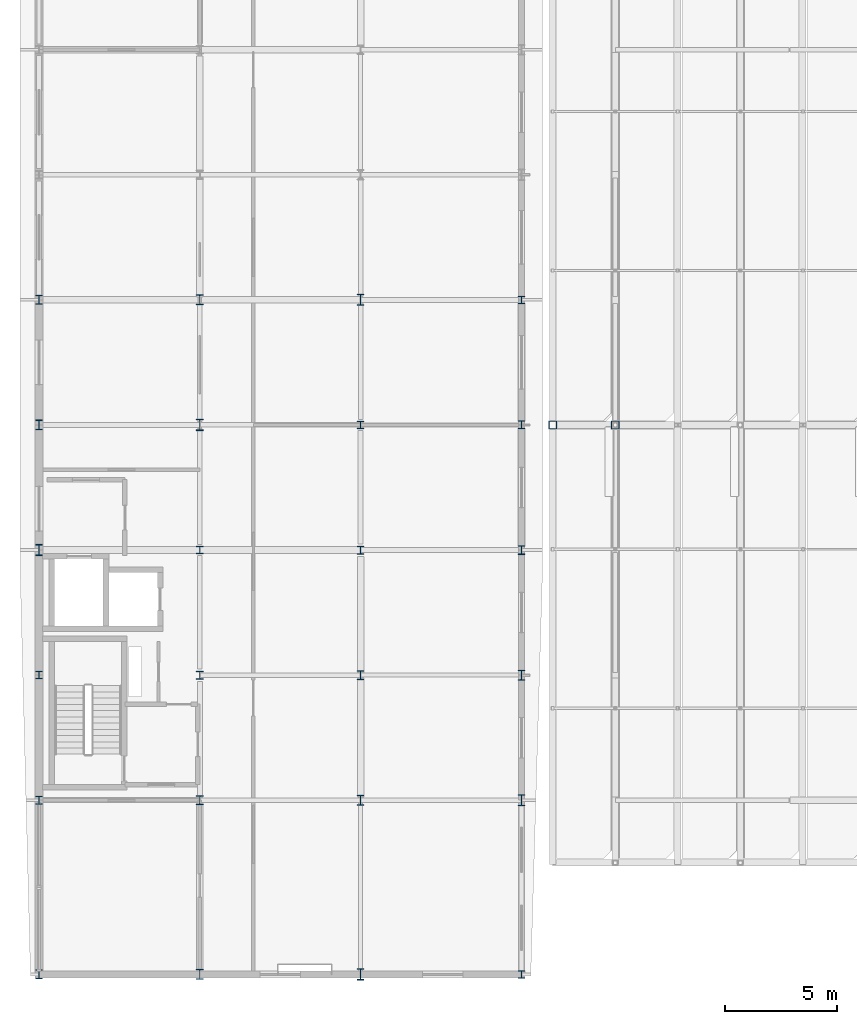
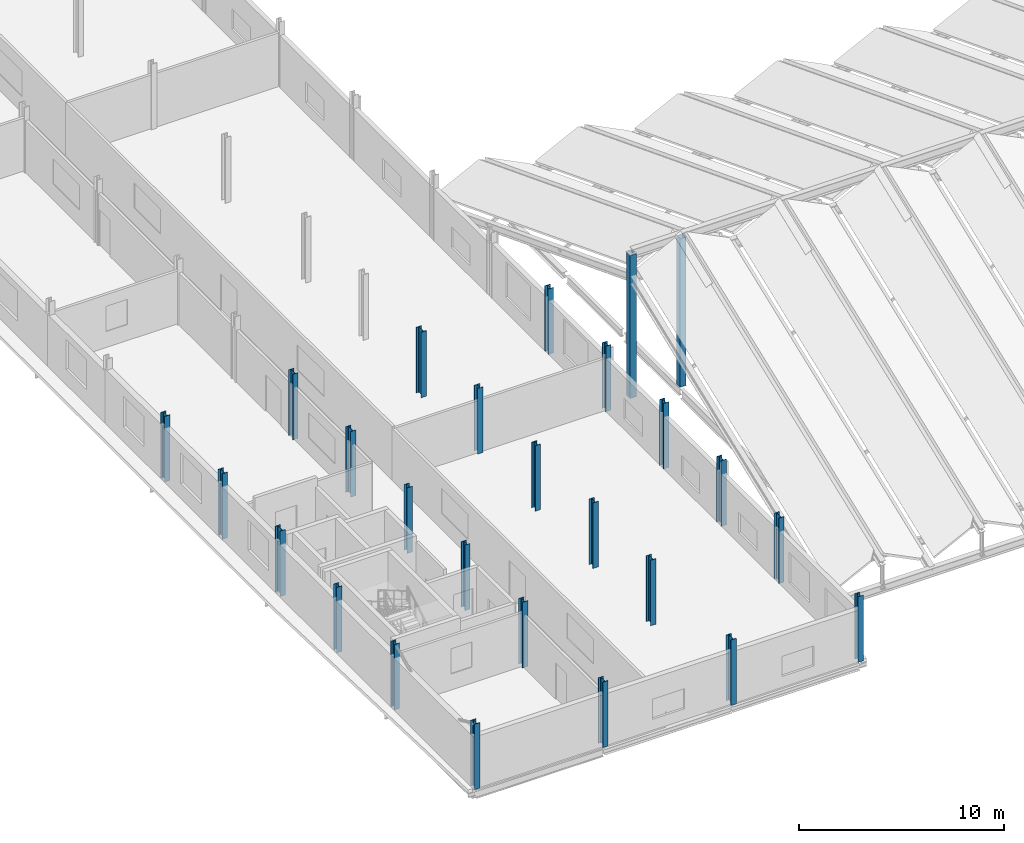
# One storey, part 1 of 49: 26 columns.
"""IFC4 building model written with IfcOpenShell, lengths in metres."""

from ifc_helpers import new_model, si_unit, direction, frame, origin, origin_2d, place, context, subcontext, project, spatial, hollow_rectangle, i_section, extrude, material, material_profile, profile_set, type_object, element, save


model = new_model("IFC4")

# Units and contexts
model_context = context("Model", 3, precision=1e-05, world=origin(), true_north=direction((0.0, 1.0)))
body_context = subcontext(model_context, "Body", "Model", "MODEL_VIEW")
ifc_project = project(units=[si_unit("LENGTHUNIT", "METRE"), si_unit("AREAUNIT", "SQUARE_METRE"), si_unit("VOLUMEUNIT", "CUBIC_METRE"), si_unit("PLANEANGLEUNIT", "RADIAN"), si_unit("MASSUNIT", "GRAM", prefix="KILO")], contexts=[model_context])

# Site, building, storey
site_placement = place(None, origin())
site = spatial("IfcSite", under=ifc_project, at=site_placement, CompositionType="ELEMENT")
building_placement = place(site_placement, origin())
building = spatial("IfcBuilding", under=site, at=building_placement, Name="Vinh Khe Railworks Police Headquarters", CompositionType="ELEMENT")
storey_placement = place(building_placement, frame((0.0, 0.0, 17.10009765625)))
storey = spatial("IfcBuildingStorey", under=building, at=storey_placement, Name="L04", CompositionType="ELEMENT", Elevation=17.10009765625)

# Columns
ifc_material = material(Name="Steel S355JR", Category="steel")
ifc_material_profile_1 = material_profile(ifc_material, i_section(OverallWidth=0.300048828125, OverallDepth=0.340087890625, WebThickness=0.011962890625, FlangeThickness=0.021484375, FilletRadius=0.027099609375, at=origin_2d()), Name="HEB 340")
ifc_profile_set_1 = profile_set([ifc_material_profile_1], Name="Steel S355JR")
column_type_1 = type_object("IfcColumnType", Name="Steel Column HEB 340", PredefinedType="COLUMN", material=ifc_profile_set_1)
for number, where, z_axis, x_axis, name in (
    (1, (0.60009765625, 30.800048828125, 0.0), (0.0, 0.0, 1.0), (1.0, 0.0, 0.0), "Column COL-L04-SC-10-0032"),
    (2, (7.800048828125, 36.39990234375, 0.0), (0.0, 0.0, 1.0), (1.0, 0.0, 0.0), "Column COL-L04-SC-10-0209"),
    (3, (15.0, 42.0, 0.0), (0.0, 0.0, 1.0), (1.0, 0.0, 0.0), "Column COL-L04-SC-10-0386"),
    (4, (22.199951171875, 17.39990234375, 0.0), (0.0, 0.0, 1.0), (1.0, 0.0, 0.0), "Column COL-L04-SC-10-0513"),
    (5, (22.199951171875, 47.60009765625, 0.0), (0.0, 0.0, 1.0), (1.0, 0.0, 0.0), "Column COL-L04-SC-10-0558"),
):
    element("IfcColumn", number, at=place(storey_placement, frame(where, z_axis=z_axis, x_axis=x_axis)), inside=storey, type_object=column_type_1, Name=name, PredefinedType="COLUMN", context=body_context, shape_type="SweptSolid", body=[
        extrude(i_section(OverallWidth=0.300048828125, OverallDepth=0.340087890625, WebThickness=0.011962890625, FlangeThickness=0.021484375, FilletRadius=0.027099609375, at=origin_2d()), origin(), (0.0, 0.0, 1.0), 3.89990234375),
    ])
ifc_material_profile_2 = material_profile(ifc_material, i_section(OverallWidth=0.300048828125, OverallDepth=0.360107421875, WebThickness=0.012451171875, FlangeThickness=0.0224609375, FilletRadius=0.027099609375, at=origin_2d()), Name="HEB 360")
ifc_profile_set_2 = profile_set([ifc_material_profile_2], Name="Steel S355JR")
column_type_2 = type_object("IfcColumnType", Name="Steel Column HEB 360", PredefinedType="COLUMN", material=ifc_profile_set_2)
for number, where, z_axis, x_axis, name in (
    (6, (0.60009765625, 25.199951171875, 0.0), (0.0, 0.0, 1.0), (1.0, 0.0, 0.0), "Column COL-L04-SC-09-0022"),
    (7, (7.800048828125, 30.800048828125, 0.0), (0.0, 0.0, 1.0), (1.0, 0.0, 0.0), "Column COL-L04-SC-09-0199"),
    (8, (15.0, 36.39990234375, 0.0), (0.0, 0.0, 1.0), (1.0, 0.0, 0.0), "Column COL-L04-SC-09-0376"),
    (9, (22.199951171875, 42.0, 0.0), (0.0, 0.0, 1.0), (1.0, 0.0, 0.0), "Column COL-L04-SC-09-0549"),
):
    element("IfcColumn", number, at=place(storey_placement, frame(where, z_axis=z_axis, x_axis=x_axis)), inside=storey, type_object=column_type_2, Name=name, PredefinedType="COLUMN", context=body_context, shape_type="SweptSolid", body=[
        extrude(i_section(OverallWidth=0.300048828125, OverallDepth=0.360107421875, WebThickness=0.012451171875, FlangeThickness=0.0224609375, FilletRadius=0.027099609375, at=origin_2d()), origin(), (0.0, 0.0, 1.0), 3.89990234375),
    ])
ifc_material_profile_3 = material_profile(ifc_material, i_section(OverallWidth=0.300048828125, OverallDepth=0.39990234375, WebThickness=0.013427734375, FlangeThickness=0.02392578125, FilletRadius=0.027099609375, at=origin_2d()), Name="HEB 400")
ifc_profile_set_3 = profile_set([ifc_material_profile_3], Name="Steel S355JR")
column_type_3 = type_object("IfcColumnType", Name="Steel Column HEB 400", PredefinedType="COLUMN", material=ifc_profile_set_3)
for number, where, z_axis, x_axis, name in (
    (10, (0.60009765625, 17.39990234375, 0.0), (0.0, 0.0, 1.0), (1.0, 0.0, 0.0), "Column COL-L04-SC-08-0012"),
    (11, (0.60009765625, 47.60009765625, 0.0), (0.0, 0.0, 1.0), (1.0, 0.0, 0.0), "Column COL-L04-SC-08-0062"),
    (12, (7.800048828125, 25.199951171875, 0.0), (0.0, 0.0, 1.0), (1.0, 0.0, 0.0), "Column COL-L04-SC-08-0189"),
    (13, (15.0, 30.800048828125, 0.0), (0.0, 0.0, 1.0), (1.0, 0.0, 0.0), "Column COL-L04-SC-08-0366"),
    (14, (22.199951171875, 36.39990234375, 0.0), (0.0, 0.0, 1.0), (1.0, 0.0, 0.0), "Column COL-L04-SC-08-0540"),
):
    element("IfcColumn", number, at=place(storey_placement, frame(where, z_axis=z_axis, x_axis=x_axis)), inside=storey, type_object=column_type_3, Name=name, PredefinedType="COLUMN", context=body_context, shape_type="SweptSolid", body=[
        extrude(i_section(OverallWidth=0.300048828125, OverallDepth=0.39990234375, WebThickness=0.013427734375, FlangeThickness=0.02392578125, FilletRadius=0.027099609375, at=origin_2d()), origin(), (0.0, 0.0, 1.0), 3.89990234375),
    ])
ifc_material_profile_4 = material_profile(ifc_material, i_section(OverallWidth=0.300048828125, OverallDepth=0.449951171875, WebThickness=0.013916015625, FlangeThickness=0.02587890625, FilletRadius=0.027099609375, at=origin_2d()), Name="HEB 450")
ifc_profile_set_4 = profile_set([ifc_material_profile_4], Name="Steel S355JR")
column_type_4 = type_object("IfcColumnType", Name="Steel Column HEB 450", PredefinedType="COLUMN", material=ifc_profile_set_4)
for number, where, z_axis, x_axis, name in (
    (15, (0.60009765625, 42.0, 0.0), (0.0, 0.0, 1.0), (1.0, 0.0, 0.0), "Column COL-L04-SC-07-0052"),
    (16, (7.800048828125, 17.39990234375, 0.0), (0.0, 0.0, 1.0), (1.0, 0.0, 0.0), "Column COL-L04-SC-07-0179"),
    (17, (7.800048828125, 47.60009765625, 0.0), (0.0, 0.0, 1.0), (1.0, 0.0, 0.0), "Column COL-L04-SC-07-0229"),
    (18, (15.0, 25.199951171875, 0.0), (0.0, 0.0, 1.0), (1.0, 0.0, 0.0), "Column COL-L04-SC-07-0356"),
    (19, (22.199951171875, 30.800048828125, 0.0), (0.0, 0.0, 1.0), (1.0, 0.0, 0.0), "Column COL-L04-SC-07-0531"),
):
    element("IfcColumn", number, at=place(storey_placement, frame(where, z_axis=z_axis, x_axis=x_axis)), inside=storey, type_object=column_type_4, Name=name, PredefinedType="COLUMN", context=body_context, shape_type="SweptSolid", body=[
        extrude(i_section(OverallWidth=0.300048828125, OverallDepth=0.449951171875, WebThickness=0.013916015625, FlangeThickness=0.02587890625, FilletRadius=0.027099609375, at=origin_2d()), origin(), (0.0, 0.0, 1.0), 3.89990234375),
    ])
ifc_material_profile_5 = material_profile(ifc_material, i_section(OverallWidth=0.300048828125, OverallDepth=0.5, WebThickness=0.014404296875, FlangeThickness=0.028076171875, FilletRadius=0.027099609375, at=origin_2d()), Name="HEB 500")
ifc_profile_set_5 = profile_set([ifc_material_profile_5], Name="Steel S355JR")
column_type_5 = type_object("IfcColumnType", Name="Steel Column HEB 500", PredefinedType="COLUMN", material=ifc_profile_set_5)
for number, where, z_axis, x_axis, name in (
    (20, (0.60009765625, 36.39990234375, 0.0), (0.0, 0.0, 1.0), (1.0, 0.0, 0.0), "Column COL-L04-SC-06-0042"),
    (21, (7.800048828125, 42.0, 0.0), (0.0, 0.0, 1.0), (1.0, 0.0, 0.0), "Column COL-L04-SC-06-0219"),
    (22, (15.0, 17.39990234375, 0.0), (0.0, 0.0, 1.0), (1.0, 0.0, 0.0), "Column COL-L04-SC-06-0346"),
    (23, (15.0, 47.60009765625, 0.0), (0.0, 0.0, 1.0), (1.0, 0.0, 0.0), "Column COL-L04-SC-06-0396"),
    (24, (22.199951171875, 25.199951171875, 0.0), (0.0, 0.0, 1.0), (1.0, 0.0, 0.0), "Column COL-L04-SC-06-0522"),
):
    element("IfcColumn", number, at=place(storey_placement, frame(where, z_axis=z_axis, x_axis=x_axis)), inside=storey, type_object=column_type_5, Name=name, PredefinedType="COLUMN", context=body_context, shape_type="SweptSolid", body=[
        extrude(i_section(OverallWidth=0.300048828125, OverallDepth=0.5, WebThickness=0.014404296875, FlangeThickness=0.028076171875, FilletRadius=0.027099609375, at=origin_2d()), origin(), (0.0, 0.0, 1.0), 3.89990234375),
    ])
ifc_material_profile_6 = material_profile(ifc_material, hollow_rectangle(XDim=0.35009765625, YDim=0.35009765625, WallThickness=0.01611328125, at=origin_2d()), Name="SHS 350x350x16")
ifc_profile_set_6 = profile_set([ifc_material_profile_6], Name="Steel S355JR")
column_type_6 = type_object("IfcColumnType", Name="Steel Column SHS 350x350x16", PredefinedType="COLUMN", material=ifc_profile_set_6)
column_1_placement = place(storey_placement, frame((23.60009765625, 42.0, 0.2998046875), z_axis=(0.0, 0.0, 1.0), x_axis=(1.0, 0.0, 0.0)))
element("IfcColumn", 25, at=column_1_placement, inside=storey, type_object=column_type_6, Name="Folded Roof Gable Post 23.6", PredefinedType="COLUMN", context=body_context, shape_type="SweptSolid", body=[
    extrude(hollow_rectangle(XDim=0.35009765625, YDim=0.35009765625, WallThickness=0.01611328125, at=origin_2d()), origin(), (0.0, 0.0, 1.0), 8.509033203125),
])
column_2_placement = place(storey_placement, frame((26.39990234375, 42.0, 0.0), z_axis=(0.0, 0.0, 1.0), x_axis=(1.0, 0.0, 0.0)))
element("IfcColumn", 26, at=column_2_placement, inside=storey, type_object=column_type_6, Name="Folded Roof Interior Spine Post 26.4", PredefinedType="COLUMN", context=body_context, shape_type="SweptSolid", body=[
    extrude(hollow_rectangle(XDim=0.35009765625, YDim=0.35009765625, WallThickness=0.01611328125, at=origin_2d()), origin(), (0.0, 0.0, 1.0), 8.808837890625),
])

save(model, "model.ifc")
